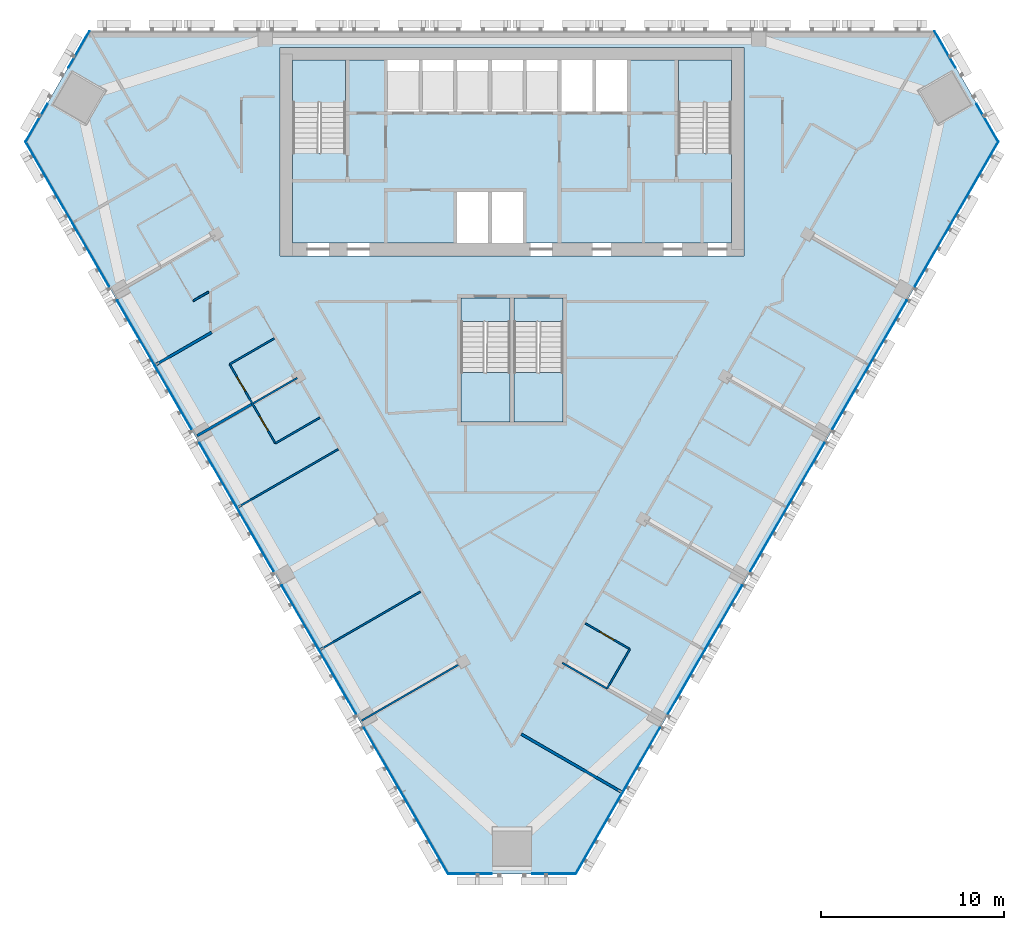
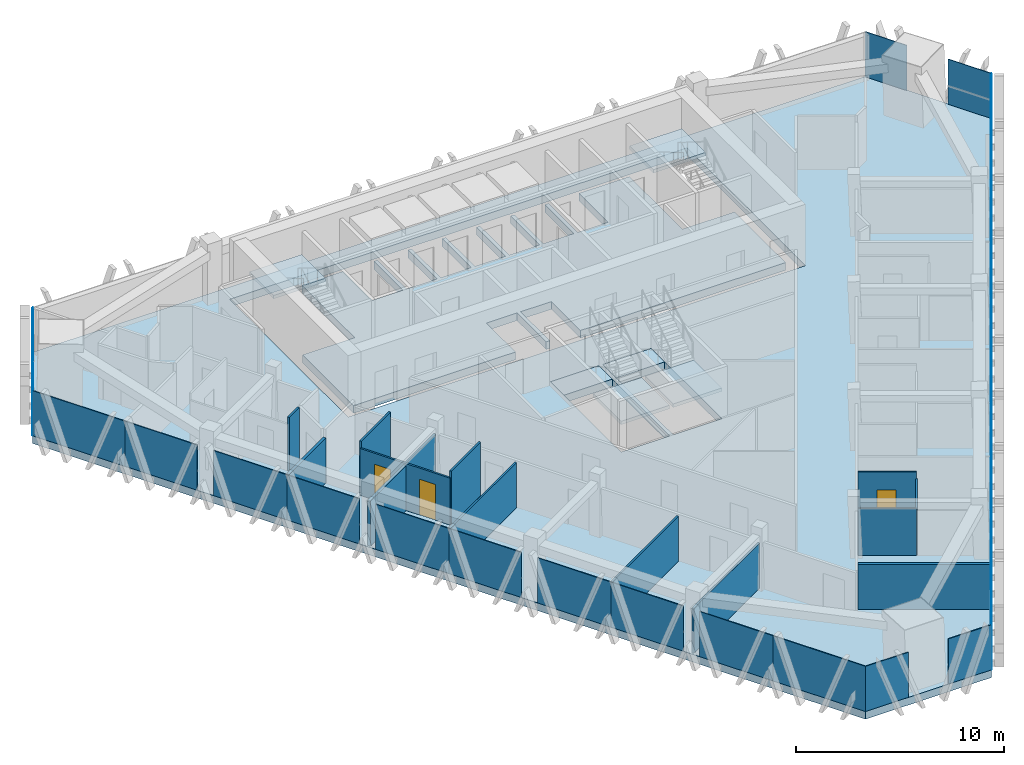
# One storey, part 8 of 16: 26 plates, 14 walls, 8 slabs, 3 doors, 3 openings, 9 elements without a shape of their own.
"""IFC4 building model written with IfcOpenShell, lengths in metres."""

from ifc_helpers import new_model, si_unit, direction, frame, frame_2d, origin, origin_2d, place, context, subcontext, project, spatial, polyline, rectangle, outline, extrude, material, layer, layer_set, type_object, element, fill, aggregate, save


model = new_model("IFC4")

# Units and contexts
model_context = context("Model", 3, precision=1e-05, world=origin(), true_north=direction((0.0, 1.0)))
body_context = subcontext(model_context, "Body", "Model", "MODEL_VIEW")
ifc_project = project(units=[si_unit("LENGTHUNIT", "METRE"), si_unit("AREAUNIT", "SQUARE_METRE"), si_unit("VOLUMEUNIT", "CUBIC_METRE"), si_unit("PLANEANGLEUNIT", "RADIAN"), si_unit("MASSUNIT", "GRAM", prefix="KILO")], contexts=[model_context])

# Site, building, storey
site_placement = place(None, origin())
site = spatial("IfcSite", under=ifc_project, at=site_placement, CompositionType="ELEMENT")
building_placement = place(site_placement, origin())
building = spatial("IfcBuilding", under=site, at=building_placement, Name="Altiplano Prism Tower", CompositionType="ELEMENT")
storey_placement = place(building_placement, frame((0.0, 0.0, 167.39990234375)))
storey = spatial("IfcBuildingStorey", under=building, at=storey_placement, Name="L43", CompositionType="ELEMENT", Elevation=167.39990234375)

# Curtain wall, plates
ifc_material_1 = material(Name="Aluminium and glass", Category="aluminium")
ifc_layer_1 = layer(ifc_material_1, 0.280029296875)
ifc_layer_set_1 = layer_set([ifc_layer_1], Name="Aluminium and glass")
curtain_wall_type = type_object("IfcCurtainWallType", Name="CW1 typical co-living unitised curtain wall", PredefinedType="NOTDEFINED", material=ifc_layer_set_1)
curtain_wall_1_placement = place(storey_placement, origin())
curtain_wall_1 = element("IfcCurtainWall", 1, at=curtain_wall_1_placement, inside=storey, type_object=curtain_wall_type, Name="CW1 curtain wall north-west chamfer L43", PredefinedType="NOTDEFINED")
ifc_material_2 = material(Name="Clear glass", Category="glass")
ifc_layer_2 = layer(ifc_material_2, 0.0400390625)
ifc_layer_set_2 = layer_set([ifc_layer_2], Name="Clear glass")
plate_type = type_object("IfcPlateType", Name="CW1 insulated glass unit 40", PredefinedType="CURTAIN_PANEL", material=ifc_layer_set_2)
plate_1_placement = place(storey_placement, frame((61.3017578125, 103.98583984375, 0.000244140625), z_axis=(0.0, 0.0, 1.0), x_axis=(-0.499999909416, -0.866025456083, 0.0)))
plate_1 = element("IfcPlate", 2, at=plate_1_placement, type_object=plate_type, Name="CW1 panel", PredefinedType="CURTAIN_PANEL", context=body_context, shape_type="SweptSolid", body=[
    extrude(rectangle(XDim=2.30908203125, YDim=0.0400390625, at=origin_2d()), origin(), (0.0, 0.0, 1.0), 2.64990234375),
])
plate_2_placement = place(storey_placement, frame((58.982421875, 99.96826171875, 0.000244140625), z_axis=(0.0, 0.0, 1.0), x_axis=(-0.499999909416, -0.866025456083, 0.0)))
plate_2 = element("IfcPlate", 3, at=plate_2_placement, type_object=plate_type, Name="CW1 panel", PredefinedType="CURTAIN_PANEL", context=body_context, shape_type="SweptSolid", body=[
    extrude(rectangle(XDim=2.38916015625, YDim=0.0400390625, at=origin_2d()), origin(), (0.0, 0.0, 1.0), 2.64990234375),
])
aggregate(curtain_wall_1, [plate_1, plate_2])

curtain_wall_2_placement = place(storey_placement, origin())
curtain_wall_2 = element("IfcCurtainWall", 4, at=curtain_wall_2_placement, inside=storey, type_object=curtain_wall_type, Name="CW1 curtain wall south-west face L43", PredefinedType="NOTDEFINED")
plate_3_placement = place(storey_placement, frame((59.66650390625, 96.7255859375, 0.000244140625), z_axis=(0.0, 0.0, 1.0), x_axis=(0.499999990583, -0.866025409221, 0.0)))
plate_3 = element("IfcPlate", 5, at=plate_3_placement, type_object=plate_type, Name="CW1 panel", PredefinedType="CURTAIN_PANEL", context=body_context, shape_type="SweptSolid", body=[
    extrude(rectangle(XDim=5.125732421875, YDim=0.0400390625, at=origin_2d()), origin(), (0.0, 0.0, 1.0), 2.64990234375),
])
plate_4_placement = place(storey_placement, frame((61.95556640625, 92.7607421875, 0.000244140625), z_axis=(0.0, 0.0, 1.0), x_axis=(0.499999990583, -0.866025409221, 0.0)))
plate_4 = element("IfcPlate", 6, at=plate_4_placement, type_object=plate_type, Name="CW1 panel", PredefinedType="CURTAIN_PANEL", context=body_context, shape_type="SweptSolid", body=[
    extrude(rectangle(XDim=4.010498046875, YDim=0.0400390625, at=origin_2d()), origin(), (0.0, 0.0, 1.0), 2.64990234375),
])
plate_5_placement = place(storey_placement, frame((64.425537109375, 88.482666015625, 0.000244140625), z_axis=(0.0, 0.0, 1.0), x_axis=(0.499999990583, -0.866025409221, 0.0)))
plate_5 = element("IfcPlate", 7, at=plate_5_placement, type_object=plate_type, Name="CW1 panel", PredefinedType="CURTAIN_PANEL", context=body_context, shape_type="SweptSolid", body=[
    extrude(rectangle(XDim=4.08935546875, YDim=0.0400390625, at=origin_2d()), origin(), (0.0, 0.0, 1.0), 2.64990234375),
])
plate_6_placement = place(storey_placement, frame((66.45556640625, 84.966552734375, 0.000244140625), z_axis=(0.0, 0.0, 1.0), x_axis=(0.499999990583, -0.866025409221, 0.0)))
plate_6 = element("IfcPlate", 8, at=plate_6_placement, type_object=plate_type, Name="CW1 panel", PredefinedType="CURTAIN_PANEL", context=body_context, shape_type="SweptSolid", body=[
    extrude(rectangle(XDim=4.010498046875, YDim=0.0400390625, at=origin_2d()), origin(), (0.0, 0.0, 1.0), 2.64990234375),
])
plate_7_placement = place(storey_placement, frame((68.925537109375, 80.6884765625, 0.000244140625), z_axis=(0.0, 0.0, 1.0), x_axis=(0.499999990583, -0.866025409221, 0.0)))
plate_7 = element("IfcPlate", 9, at=plate_7_placement, type_object=plate_type, Name="CW1 panel", PredefinedType="CURTAIN_PANEL", context=body_context, shape_type="SweptSolid", body=[
    extrude(rectangle(XDim=4.08935546875, YDim=0.0400390625, at=origin_2d()), origin(), (0.0, 0.0, 1.0), 2.64990234375),
])
plate_8_placement = place(storey_placement, frame((70.95556640625, 77.17236328125, 0.000244140625), z_axis=(0.0, 0.0, 1.0), x_axis=(0.499999990583, -0.866025409221, 0.0)))
plate_8 = element("IfcPlate", 10, at=plate_8_placement, type_object=plate_type, Name="CW1 panel", PredefinedType="CURTAIN_PANEL", context=body_context, shape_type="SweptSolid", body=[
    extrude(rectangle(XDim=4.010498046875, YDim=0.0400390625, at=origin_2d()), origin(), (0.0, 0.0, 1.0), 2.64990234375),
])
plate_9_placement = place(storey_placement, frame((73.425537109375, 72.89404296875, 0.000244140625), z_axis=(0.0, 0.0, 1.0), x_axis=(0.499999990583, -0.866025409221, 0.0)))
plate_9 = element("IfcPlate", 11, at=plate_9_placement, type_object=plate_type, Name="CW1 panel", PredefinedType="CURTAIN_PANEL", context=body_context, shape_type="SweptSolid", body=[
    extrude(rectangle(XDim=4.08935546875, YDim=0.0400390625, at=origin_2d()), origin(), (0.0, 0.0, 1.0), 2.64990234375),
])
plate_10_placement = place(storey_placement, frame((75.45556640625, 69.378173828125, 0.000244140625), z_axis=(0.0, 0.0, 1.0), x_axis=(0.499999990583, -0.866025409221, 0.0)))
plate_10 = element("IfcPlate", 12, at=plate_10_placement, type_object=plate_type, Name="CW1 panel", PredefinedType="CURTAIN_PANEL", context=body_context, shape_type="SweptSolid", body=[
    extrude(rectangle(XDim=4.010498046875, YDim=0.0400390625, at=origin_2d()), origin(), (0.0, 0.0, 1.0), 2.64990234375),
])
plate_11_placement = place(storey_placement, frame((77.925537109375, 65.099853515625, 0.000244140625), z_axis=(0.0, 0.0, 1.0), x_axis=(0.499999990583, -0.866025409221, 0.0)))
plate_11 = element("IfcPlate", 13, at=plate_11_placement, type_object=plate_type, Name="CW1 panel", PredefinedType="CURTAIN_PANEL", context=body_context, shape_type="SweptSolid", body=[
    extrude(rectangle(XDim=4.08935546875, YDim=0.0400390625, at=origin_2d()), origin(), (0.0, 0.0, 1.0), 2.64990234375),
])
plate_12_placement = place(storey_placement, frame((80.234375, 61.10107421875, 0.000244140625), z_axis=(0.0, 0.0, 1.0), x_axis=(0.499999990583, -0.866025409221, 0.0)))
plate_12 = element("IfcPlate", 14, at=plate_12_placement, type_object=plate_type, Name="CW1 panel", PredefinedType="CURTAIN_PANEL", context=body_context, shape_type="SweptSolid", body=[
    extrude(rectangle(XDim=5.125732421875, YDim=0.0400390625, at=origin_2d()), origin(), (0.0, 0.0, 1.0), 2.64990234375),
])
aggregate(curtain_wall_2, [plate_3, plate_4, plate_5, plate_6, plate_7, plate_8, plate_9, plate_10, plate_11, plate_12])

curtain_wall_3_placement = place(storey_placement, origin())
curtain_wall_3 = element("IfcCurtainWall", 15, at=curtain_wall_3_placement, inside=storey, type_object=curtain_wall_type, Name="CW1 curtain wall south chamfer L43", PredefinedType="NOTDEFINED")
plate_13_placement = place(storey_placement, frame((82.700439453125, 58.88720703125, 0.000244140625), z_axis=(0.0, 0.0, 1.0), x_axis=(1.0, 0.0, 0.0)))
plate_13 = element("IfcPlate", 16, at=plate_13_placement, type_object=plate_type, Name="CW1 panel", PredefinedType="CURTAIN_PANEL", context=body_context, shape_type="SweptSolid", body=[
    extrude(rectangle(XDim=2.38916015625, YDim=0.0400390625, at=origin_2d()), origin(), (0.0, 0.0, 1.0), 2.64990234375),
])
plate_14_placement = place(storey_placement, frame((87.299560546875, 58.88720703125, 0.000244140625), z_axis=(0.0, 0.0, 1.0), x_axis=(1.0, 0.0, 0.0)))
plate_14 = element("IfcPlate", 17, at=plate_14_placement, type_object=plate_type, Name="CW1 panel", PredefinedType="CURTAIN_PANEL", context=body_context, shape_type="SweptSolid", body=[
    extrude(rectangle(XDim=2.38916015625, YDim=0.0400390625, at=origin_2d()), origin(), (0.0, 0.0, 1.0), 2.64990234375),
])
aggregate(curtain_wall_3, [plate_13, plate_14])

curtain_wall_4_placement = place(storey_placement, origin())
curtain_wall_4 = element("IfcCurtainWall", 18, at=curtain_wall_4_placement, inside=storey, type_object=curtain_wall_type, Name="CW1 curtain wall south-east face L43", PredefinedType="NOTDEFINED")
plate_15_placement = place(storey_placement, frame((89.765625, 61.10107421875, 0.000244140625), z_axis=(0.0, 0.0, 1.0), x_axis=(0.499999990583, 0.866025409221, 0.0)))
plate_15 = element("IfcPlate", 19, at=plate_15_placement, type_object=plate_type, Name="CW1 panel", PredefinedType="CURTAIN_PANEL", context=body_context, shape_type="SweptSolid", body=[
    extrude(rectangle(XDim=5.125732421875, YDim=0.0400390625, at=origin_2d()), origin(), (0.0, 0.0, 1.0), 2.64990234375),
])
plate_16_placement = place(storey_placement, frame((92.074462890625, 65.099853515625, 0.000244140625), z_axis=(0.0, 0.0, 1.0), x_axis=(0.499999990583, 0.866025409221, 0.0)))
plate_16 = element("IfcPlate", 20, at=plate_16_placement, type_object=plate_type, Name="CW1 panel", PredefinedType="CURTAIN_PANEL", context=body_context, shape_type="SweptSolid", body=[
    extrude(rectangle(XDim=4.08935546875, YDim=0.0400390625, at=origin_2d()), origin(), (0.0, 0.0, 1.0), 2.64990234375),
])
plate_17_placement = place(storey_placement, frame((94.54443359375, 69.378173828125, 0.000244140625), z_axis=(0.0, 0.0, 1.0), x_axis=(0.499999990583, 0.866025409221, 0.0)))
plate_17 = element("IfcPlate", 21, at=plate_17_placement, type_object=plate_type, Name="CW1 panel", PredefinedType="CURTAIN_PANEL", context=body_context, shape_type="SweptSolid", body=[
    extrude(rectangle(XDim=4.010498046875, YDim=0.0400390625, at=origin_2d()), origin(), (0.0, 0.0, 1.0), 2.64990234375),
])
plate_18_placement = place(storey_placement, frame((96.574462890625, 72.89404296875, 0.000244140625), z_axis=(0.0, 0.0, 1.0), x_axis=(0.499999990583, 0.866025409221, 0.0)))
plate_18 = element("IfcPlate", 22, at=plate_18_placement, type_object=plate_type, Name="CW1 panel", PredefinedType="CURTAIN_PANEL", context=body_context, shape_type="SweptSolid", body=[
    extrude(rectangle(XDim=4.08935546875, YDim=0.0400390625, at=origin_2d()), origin(), (0.0, 0.0, 1.0), 2.64990234375),
])
plate_19_placement = place(storey_placement, frame((99.04443359375, 77.17236328125, 0.000244140625), z_axis=(0.0, 0.0, 1.0), x_axis=(0.499999990583, 0.866025409221, 0.0)))
plate_19 = element("IfcPlate", 23, at=plate_19_placement, type_object=plate_type, Name="CW1 panel", PredefinedType="CURTAIN_PANEL", context=body_context, shape_type="SweptSolid", body=[
    extrude(rectangle(XDim=4.010498046875, YDim=0.0400390625, at=origin_2d()), origin(), (0.0, 0.0, 1.0), 2.64990234375),
])
plate_20_placement = place(storey_placement, frame((101.074462890625, 80.6884765625, 0.000244140625), z_axis=(0.0, 0.0, 1.0), x_axis=(0.499999990583, 0.866025409221, 0.0)))
plate_20 = element("IfcPlate", 24, at=plate_20_placement, type_object=plate_type, Name="CW1 panel", PredefinedType="CURTAIN_PANEL", context=body_context, shape_type="SweptSolid", body=[
    extrude(rectangle(XDim=4.08935546875, YDim=0.0400390625, at=origin_2d()), origin(), (0.0, 0.0, 1.0), 2.64990234375),
])
plate_21_placement = place(storey_placement, frame((103.54443359375, 84.966552734375, 0.000244140625), z_axis=(0.0, 0.0, 1.0), x_axis=(0.499999990583, 0.866025409221, 0.0)))
plate_21 = element("IfcPlate", 25, at=plate_21_placement, type_object=plate_type, Name="CW1 panel", PredefinedType="CURTAIN_PANEL", context=body_context, shape_type="SweptSolid", body=[
    extrude(rectangle(XDim=4.010498046875, YDim=0.0400390625, at=origin_2d()), origin(), (0.0, 0.0, 1.0), 2.64990234375),
])
plate_22_placement = place(storey_placement, frame((105.574462890625, 88.482666015625, 0.000244140625), z_axis=(0.0, 0.0, 1.0), x_axis=(0.499999990583, 0.866025409221, 0.0)))
plate_22 = element("IfcPlate", 26, at=plate_22_placement, type_object=plate_type, Name="CW1 panel", PredefinedType="CURTAIN_PANEL", context=body_context, shape_type="SweptSolid", body=[
    extrude(rectangle(XDim=4.08935546875, YDim=0.0400390625, at=origin_2d()), origin(), (0.0, 0.0, 1.0), 2.64990234375),
])
plate_23_placement = place(storey_placement, frame((108.04443359375, 92.7607421875, 0.000244140625), z_axis=(0.0, 0.0, 1.0), x_axis=(0.499999990583, 0.866025409221, 0.0)))
plate_23 = element("IfcPlate", 27, at=plate_23_placement, type_object=plate_type, Name="CW1 panel", PredefinedType="CURTAIN_PANEL", context=body_context, shape_type="SweptSolid", body=[
    extrude(rectangle(XDim=4.010498046875, YDim=0.0400390625, at=origin_2d()), origin(), (0.0, 0.0, 1.0), 2.64990234375),
])
plate_24_placement = place(storey_placement, frame((110.33349609375, 96.7255859375, 0.000244140625), z_axis=(0.0, 0.0, 1.0), x_axis=(0.499999990583, 0.866025409221, 0.0)))
plate_24 = element("IfcPlate", 28, at=plate_24_placement, type_object=plate_type, Name="CW1 panel", PredefinedType="CURTAIN_PANEL", context=body_context, shape_type="SweptSolid", body=[
    extrude(rectangle(XDim=5.125732421875, YDim=0.0400390625, at=origin_2d()), origin(), (0.0, 0.0, 1.0), 2.64990234375),
])
aggregate(curtain_wall_4, [plate_15, plate_16, plate_17, plate_18, plate_19, plate_20, plate_21, plate_22, plate_23, plate_24])

curtain_wall_5_placement = place(storey_placement, origin())
curtain_wall_5 = element("IfcCurtainWall", 29, at=curtain_wall_5_placement, inside=storey, type_object=curtain_wall_type, Name="CW1 curtain wall north-east chamfer L43", PredefinedType="NOTDEFINED")
plate_25_placement = place(storey_placement, frame((111.017578125, 99.96826171875, 0.000244140625), z_axis=(0.0, 0.0, 1.0), x_axis=(-0.499999909416, 0.866025456083, 0.0)))
plate_25 = element("IfcPlate", 30, at=plate_25_placement, type_object=plate_type, Name="CW1 panel", PredefinedType="CURTAIN_PANEL", context=body_context, shape_type="SweptSolid", body=[
    extrude(rectangle(XDim=2.38916015625, YDim=0.0400390625, at=origin_2d()), origin(), (0.0, 0.0, 1.0), 2.64990234375),
])
plate_26_placement = place(storey_placement, frame((108.6982421875, 103.98583984375, 0.000244140625), z_axis=(0.0, 0.0, 1.0), x_axis=(-0.499999909416, 0.866025456083, 0.0)))
plate_26 = element("IfcPlate", 31, at=plate_26_placement, type_object=plate_type, Name="CW1 panel", PredefinedType="CURTAIN_PANEL", context=body_context, shape_type="SweptSolid", body=[
    extrude(rectangle(XDim=2.30908203125, YDim=0.0400390625, at=origin_2d()), origin(), (0.0, 0.0, 1.0), 2.64990234375),
])
aggregate(curtain_wall_5, [plate_25, plate_26])

# Slabs
ifc_material_3 = material(Name="Concrete C40/50", Category="concrete")
ifc_layer_3 = layer(ifc_material_3, 0.449951171875)
ifc_layer_set_3 = layer_set([ifc_layer_3], Name="Concrete C40/50")
slab_type_1 = type_object("IfcSlabType", Name="Core floor slab 450", PredefinedType="FLOOR", material=ifc_layer_set_3)
slab_1_placement = place(storey_placement, frame((0.0, 0.0, -0.449951171875)))
element("IfcSlab", 32, at=slab_1_placement, inside=storey, type_object=slab_type_1, Name="Core floor slab L43", PredefinedType="FLOOR", context=body_context, shape_type="SweptSolid", body=[
    extrude(outline(polyline([(97.0, 98.31005859375), (94.10009765625, 98.31005859375), (94.10009765625, 103.39990234375), (91.300048828125, 103.39990234375), (91.300048828125, 100.60009765625), (89.60009765625, 100.60009765625), (89.60009765625, 103.39990234375), (89.39990234375, 103.39990234375), (89.39990234375, 100.60009765625), (87.699951171875, 100.60009765625), (87.699951171875, 103.39990234375), (87.5, 103.39990234375), (87.5, 100.60009765625), (85.800048828125, 100.60009765625), (85.800048828125, 103.39990234375), (85.60009765625, 103.39990234375), (85.60009765625, 100.60009765625), (83.89990234375, 100.60009765625), (83.89990234375, 103.39990234375), (83.699951171875, 103.39990234375), (83.699951171875, 100.60009765625), (82.0, 100.60009765625), (82.0, 103.39990234375), (81.800048828125, 103.39990234375), (81.800048828125, 100.60009765625), (80.10009765625, 100.60009765625), (80.10009765625, 103.39990234375), (79.89990234375, 103.39990234375), (79.89990234375, 100.60009765625), (78.199951171875, 100.60009765625), (78.199951171875, 103.39990234375), (75.89990234375, 103.39990234375), (75.89990234375, 98.31005859375), (73.0, 98.31005859375), (73.0, 93.39990234375), (82.0, 93.39990234375), (82.0, 96.199951171875), (83.699951171875, 96.199951171875), (83.699951171875, 93.39990234375), (83.89990234375, 93.39990234375), (83.89990234375, 96.199951171875), (85.60009765625, 96.199951171875), (85.60009765625, 93.39990234375), (97.0, 93.39990234375), (97.0, 98.31005859375)])), origin(), (0.0, 0.0, 1.0), 0.449951171875),
])
slab_2_placement = place(storey_placement, frame((0.0, 0.0, -0.449951171875)))
element("IfcSlab", 33, at=slab_2_placement, inside=storey, type_object=slab_type_1, Name="Stair 3A landing slab L43", PredefinedType="FLOOR", context=body_context, shape_type="SweptSolid", body=[
    extrude(outline(polyline([(82.199951171875, 89.096923828125), (84.89990234375, 89.096923828125), (84.89990234375, 90.39990234375), (82.199951171875, 90.39990234375), (82.199951171875, 89.096923828125)])), origin(), (0.0, 0.0, 1.0), 0.449951171875),
])
slab_3_placement = place(storey_placement, frame((0.0, 0.0, -0.449951171875)))
element("IfcSlab", 34, at=slab_3_placement, inside=storey, type_object=slab_type_1, Name="Stair 3B landing slab L43", PredefinedType="FLOOR", context=body_context, shape_type="SweptSolid", body=[
    extrude(outline(polyline([(85.10009765625, 89.096923828125), (87.800048828125, 89.096923828125), (87.800048828125, 90.39990234375), (85.10009765625, 90.39990234375), (85.10009765625, 89.096923828125)])), origin(), (0.0, 0.0, 1.0), 0.449951171875),
])
ifc_layer_4 = layer(ifc_material_3, 0.449951171875)
ifc_layer_set_4 = layer_set([ifc_layer_4], Name="Concrete C40/50")
slab_type_2 = type_object("IfcSlabType", Name="Post-tensioned flat slab 450", PredefinedType="FLOOR", material=ifc_layer_set_4)
slab_4_placement = place(storey_placement, frame((0.0, 0.0, -0.449951171875)))
element("IfcSlab", 35, at=slab_4_placement, inside=storey, type_object=slab_type_2, Name="Floor slab L43", PredefinedType="FLOOR", context=body_context, shape_type="SweptSolid", body=[
    extrude(outline(polyline([(81.5009765625, 58.8671875), (58.365234375, 98.939453125), (61.8642578125, 105.0), (108.1357421875, 105.0), (111.634765625, 98.939453125), (88.4990234375, 58.8671875), (81.5009765625, 58.8671875)]), holes=[polyline([(72.300048828125, 104.10009765625), (72.300048828125, 92.699951171875), (97.699951171875, 92.699951171875), (97.699951171875, 104.10009765625), (72.300048828125, 104.10009765625)]), polyline([(84.89990234375, 90.39990234375), (82.199951171875, 90.39990234375), (82.199951171875, 83.60009765625), (84.89990234375, 83.60009765625), (84.89990234375, 90.39990234375)]), polyline([(87.800048828125, 83.60009765625), (87.800048828125, 90.39990234375), (85.10009765625, 90.39990234375), (85.10009765625, 83.60009765625), (87.800048828125, 83.60009765625)])]), origin(), (0.0, 0.0, 1.0), 0.449951171875),
])

# Stair, slab
stair_type_1 = type_object("IfcStairType", Name="Exit stair 1400", PredefinedType="HALF_TURN_STAIR", material=ifc_material_3)
stair_1_placement = place(storey_placement, origin())
stair_1 = element("IfcStair", 36, at=stair_1_placement, inside=storey, type_object=stair_type_1, Name="L43 Exit Stair 1", PredefinedType="HALF_TURN_STAIR")
ifc_layer_5 = layer(ifc_material_3, 0.199951171875)
ifc_layer_set_5 = layer_set([ifc_layer_5], Name="Concrete C40/50")
slab_type_3 = type_object("IfcSlabType", Name="Stair landing 200", PredefinedType="LANDING", material=ifc_layer_set_5)
slab_5_placement = place(storey_placement, frame((0.0, 0.0, 1.60009765625)))
slab_5 = element("IfcSlab", 37, at=slab_5_placement, type_object=slab_type_3, Name="ST1 landing 1", PredefinedType="LANDING", context=body_context, shape_type="SweptSolid", body=[
    extrude(outline(polyline([(75.89990234375, 101.096923828125), (75.89990234375, 103.39990234375), (73.0, 103.39990234375), (73.0, 101.096923828125), (75.89990234375, 101.096923828125)])), origin(), (0.0, 0.0, 1.0), 0.199951171875),
])
aggregate(stair_1, [slab_5])

stair_2_placement = place(storey_placement, origin())
stair_2 = element("IfcStair", 38, at=stair_2_placement, inside=storey, type_object=stair_type_1, Name="L43 Exit Stair 2", PredefinedType="HALF_TURN_STAIR")
slab_6_placement = place(storey_placement, frame((0.0, 0.0, 1.60009765625)))
slab_6 = element("IfcSlab", 39, at=slab_6_placement, type_object=slab_type_3, Name="ST2 landing 1", PredefinedType="LANDING", context=body_context, shape_type="SweptSolid", body=[
    extrude(outline(polyline([(97.0, 101.096923828125), (97.0, 103.39990234375), (94.10009765625, 103.39990234375), (94.10009765625, 101.096923828125), (97.0, 101.096923828125)])), origin(), (0.0, 0.0, 1.0), 0.199951171875),
])
aggregate(stair_2, [slab_6])

stair_type_2 = type_object("IfcStairType", Name="Exit stair 1300", PredefinedType="HALF_TURN_STAIR", material=ifc_material_3)
stair_3_placement = place(storey_placement, origin())
stair_3 = element("IfcStair", 40, at=stair_3_placement, inside=storey, type_object=stair_type_2, Name="L43 Exit Stair 3A", PredefinedType="HALF_TURN_STAIR")
slab_7_placement = place(storey_placement, frame((0.0, 0.0, 1.60009765625)))
slab_7 = element("IfcSlab", 41, at=slab_7_placement, type_object=slab_type_3, Name="ST3A landing 1", PredefinedType="LANDING", context=body_context, shape_type="SweptSolid", body=[
    extrude(outline(polyline([(82.199951171875, 86.302978515625), (82.199951171875, 83.60009765625), (84.89990234375, 83.60009765625), (84.89990234375, 86.302978515625), (82.199951171875, 86.302978515625)])), origin(), (0.0, 0.0, 1.0), 0.199951171875),
])
aggregate(stair_3, [slab_7])

stair_4_placement = place(storey_placement, origin())
stair_4 = element("IfcStair", 42, at=stair_4_placement, inside=storey, type_object=stair_type_2, Name="L43 Exit Stair 3B", PredefinedType="HALF_TURN_STAIR")
slab_8_placement = place(storey_placement, frame((0.0, 0.0, 1.60009765625)))
slab_8 = element("IfcSlab", 43, at=slab_8_placement, type_object=slab_type_3, Name="ST3B landing 1", PredefinedType="LANDING", context=body_context, shape_type="SweptSolid", body=[
    extrude(outline(polyline([(85.10009765625, 86.302978515625), (85.10009765625, 83.60009765625), (87.800048828125, 83.60009765625), (87.800048828125, 86.302978515625), (85.10009765625, 86.302978515625)])), origin(), (0.0, 0.0, 1.0), 0.199951171875),
])
aggregate(stair_4, [slab_8])

# Wall
ifc_material_4 = material(Name="Plasterboard on steel stud", Category="steel")
ifc_layer_6 = layer(ifc_material_4, 0.10009765625)
ifc_layer_set_6 = layer_set([ifc_layer_6], Name="Plasterboard on steel stud")
wall_type_1 = type_object("IfcWallType", Name="Partition 100 unit", PredefinedType="PARTITIONING", material=ifc_layer_set_6)
wall_1_placement = place(storey_placement, frame((68.39990234375, 90.719970703125, 0.0), z_axis=(0.0, 0.0, 1.0), x_axis=(-0.865920189979, -0.500182191394, 0.0)))
element("IfcWall", 44, at=wall_1_placement, inside=storey, type_object=wall_type_1, Name="Partition P02 L43 044", PredefinedType="PARTITIONING", context=body_context, shape_type="SweptSolid", body=[
    extrude(rectangle(XDim=0.980712890625, YDim=0.10009765625, at=frame_2d((0.490234375, 0.0))), origin(), (0.0, 0.0, 1.0), 3.150146484375),
])

# Wall, openings, doors
wall_2_placement = place(storey_placement, frame((72.05078125, 82.435302734375, 0.0), z_axis=(0.0, 0.0, 1.0), x_axis=(-0.500004234368, 0.866022959057, 0.0)))
wall_2 = element("IfcWall", 45, at=wall_2_placement, inside=storey, type_object=wall_type_1, Name="Partition P02 L43 047", PredefinedType="PARTITIONING", context=body_context, shape_type="SweptSolid", body=[
    extrude(rectangle(XDim=5.0, YDim=0.10009765625, at=frame_2d((2.5, 0.0))), origin(), (0.0, 0.0, 1.0), 2.75),
])
opening_1_placement = place(wall_2_placement, frame((3.300048828125, 0.0, 0.0)))
opening_1 = element("IfcOpeningElement", 46, at=opening_1_placement, cuts=wall_2, Name="Opening D1519", PredefinedType="OPENING", context=body_context, shape_type="SweptSolid", body=[
    extrude(rectangle(XDim=0.89990234375, YDim=2.10009765625, at=frame_2d((0.449951171875, 1.050048828125))), frame((0.0, 0.060546875, 0.0), z_axis=(0.0, -1.0, 0.0), x_axis=(1.0, 0.0, 0.0)), (0.0, 0.0, 1.0), 0.12109375),
])
opening_2_placement = place(wall_2_placement, frame((0.800048828125, 0.0, 0.0)))
opening_2 = element("IfcOpeningElement", 47, at=opening_2_placement, cuts=wall_2, Name="Opening D1521", PredefinedType="OPENING", context=body_context, shape_type="SweptSolid", body=[
    extrude(rectangle(XDim=0.89990234375, YDim=2.10009765625, at=frame_2d((0.449951171875, 1.050048828125))), frame((0.0, 0.060546875, 0.0), z_axis=(0.0, -1.0, 0.0), x_axis=(1.0, 0.0, 0.0)), (0.0, 0.0, 1.0), 0.12109375),
])
ifc_material_5 = material(Name="Timber", Category="wood")
door_type = type_object("IfcDoorType", Name="Ensuite door 900 x 2100", OperationType="NOTDEFINED", PredefinedType="NOTDEFINED", material=ifc_material_5)
door_1_placement = place(opening_1_placement, origin())
door_1 = element("IfcDoor", 48, at=door_1_placement, inside=storey, type_object=door_type, Name="Door D1519", OperationType="SINGLE_SWING_LEFT", OverallHeight=2.10009765625, OverallWidth=0.89990234375, PredefinedType="NOTDEFINED", context=body_context, shape_type="SweptSolid", body=[
    extrude(rectangle(XDim=0.89990234375, YDim=2.10009765625, at=frame_2d((0.449951171875, 1.050048828125))), frame((0.0, 0.02490234375, 0.0), z_axis=(0.0, -1.0, 0.0), x_axis=(1.0, 0.0, 0.0)), (0.0, 0.0, 1.0), 0.050048828125),
])
fill(opening_1, door_1)
door_2_placement = place(opening_2_placement, origin())
door_2 = element("IfcDoor", 49, at=door_2_placement, inside=storey, type_object=door_type, Name="Door D1521", OperationType="SINGLE_SWING_LEFT", OverallHeight=2.10009765625, OverallWidth=0.89990234375, PredefinedType="NOTDEFINED", context=body_context, shape_type="SweptSolid", body=[
    extrude(rectangle(XDim=0.89990234375, YDim=2.10009765625, at=frame_2d((0.449951171875, 1.050048828125))), frame((0.0, 0.02490234375, 0.0), z_axis=(0.0, -1.0, 0.0), x_axis=(1.0, 0.0, 0.0)), (0.0, 0.0, 1.0), 0.050048828125),
])
fill(opening_2, door_2)

# Walls
for number, where, z_axis, x_axis, name in (
    (50, (69.55078125, 86.765380859375, 0.0), (0.0, 0.0, 1.0), (0.866011447264, 0.500024172624, 0.0), "Partition P02 L43 048"),
    (51, (74.497314453125, 83.847900390625, 0.0), (0.0, 0.0, 1.0), (-0.866011447264, -0.500024172624, 0.0), "Partition P02 L43 051"),
):
    element("IfcWall", number, at=place(storey_placement, frame(where, z_axis=z_axis, x_axis=x_axis)), inside=storey, type_object=wall_type_1, Name=name, PredefinedType="PARTITIONING", context=body_context, shape_type="SweptSolid", body=[
        extrude(rectangle(XDim=2.824951171875, YDim=0.10009765625, at=frame_2d((1.41259765625, 0.0))), origin(), (0.0, 0.0, 1.0), 3.150146484375),
    ])

# Wall, opening, door
wall_3_placement = place(storey_placement, frame((89.002685546875, 72.589599609375, 0.0), z_axis=(0.0, 0.0, 1.0), x_axis=(0.866011447264, -0.500024172624, 0.0)))
wall_3 = element("IfcWall", 52, at=wall_3_placement, inside=storey, type_object=wall_type_1, Name="Partition P02 L43 058", PredefinedType="PARTITIONING", context=body_context, shape_type="SweptSolid", body=[
    extrude(rectangle(XDim=2.824951171875, YDim=0.10009765625, at=frame_2d((1.41259765625, 0.0))), origin(), (0.0, 0.0, 1.0), 3.150146484375),
])
opening_3_placement = place(wall_3_placement, frame((0.925048828125, 0.0, 0.0)))
opening_3 = element("IfcOpeningElement", 53, at=opening_3_placement, cuts=wall_3, Name="Opening D1527", PredefinedType="OPENING", context=body_context, shape_type="SweptSolid", body=[
    extrude(rectangle(XDim=0.89990234375, YDim=2.10009765625, at=frame_2d((0.449951171875, 1.050048828125))), frame((0.0, 0.060546875, 0.0), z_axis=(0.0, -1.0, 0.0), x_axis=(1.0, 0.0, 0.0)), (0.0, 0.0, 1.0), 0.12109375),
])
door_3_placement = place(opening_3_placement, origin())
door_3 = element("IfcDoor", 54, at=door_3_placement, inside=storey, type_object=door_type, Name="Door D1527", OperationType="SINGLE_SWING_LEFT", OverallHeight=2.10009765625, OverallWidth=0.89990234375, PredefinedType="NOTDEFINED", context=body_context, shape_type="SweptSolid", body=[
    extrude(rectangle(XDim=0.89990234375, YDim=2.10009765625, at=frame_2d((0.449951171875, 1.050048828125))), frame((0.0, 0.02490234375, 0.0), z_axis=(0.0, -1.0, 0.0), x_axis=(1.0, 0.0, 0.0)), (0.0, 0.0, 1.0), 0.050048828125),
])
fill(opening_3, door_3)

# Walls
wall_4_placement = place(storey_placement, frame((91.44921875, 71.177001953125, 0.0), z_axis=(0.0, 0.0, 1.0), x_axis=(-0.500004234368, -0.866022959057, 0.0)))
element("IfcWall", 55, at=wall_4_placement, inside=storey, type_object=wall_type_1, Name="Partition P02 L43 059", PredefinedType="PARTITIONING", context=body_context, shape_type="SweptSolid", body=[
    extrude(rectangle(XDim=2.5, YDim=0.10009765625, at=frame_2d((1.25, 0.0))), origin(), (0.0, 0.0, 1.0), 2.75),
])
ifc_layer_7 = layer(ifc_material_4, 0.10009765625)
ifc_layer_set_7 = layer_set([ifc_layer_7], Name="Plasterboard on steel stud")
wall_type_2 = type_object("IfcWallType", Name="Partition 100 wet", PredefinedType="PARTITIONING", material=ifc_layer_set_7)
wall_5_placement = place(storey_placement, frame((70.843994140625, 84.62548828125, 0.0), z_axis=(0.0, 0.0, 1.0), x_axis=(0.866042014628, 0.499971228071, 0.0)))
element("IfcWall", 56, at=wall_5_placement, inside=storey, type_object=wall_type_2, Name="Partition P03 L43 050", PredefinedType="PARTITIONING", context=body_context, shape_type="SweptSolid", body=[
    extrude(rectangle(XDim=2.775146484375, YDim=0.10009765625, at=frame_2d((1.3876953125, 0.0))), origin(), (0.0, 0.0, 1.0), 2.75),
])
for number, where, z_axis, x_axis, name in (
    (57, (70.002197265625, 78.943115234375, 0.0), (0.0, 0.0, 1.0), (0.866025401434, 0.500000004071, 0.0), "Partition P03 L43 052"),
    (58, (74.502197265625, 71.14892578125, 0.0), (0.0, 0.0, 1.0), (0.866025401434, 0.500000004071, 0.0), "Partition P03 L43 053"),
):
    element("IfcWall", number, at=place(storey_placement, frame(where, z_axis=z_axis, x_axis=x_axis)), inside=storey, type_object=wall_type_2, Name=name, PredefinedType="PARTITIONING", context=body_context, shape_type="SweptSolid", body=[
        extrude(rectangle(XDim=6.34521484375, YDim=0.10009765625, at=frame_2d((3.172607421875, 0.0))), origin(), (0.0, 0.0, 1.0), 2.650146484375),
    ])
wall_6_placement = place(storey_placement, frame((76.769775390625, 67.261962890625, 0.0), z_axis=(0.0, 0.0, 1.0), x_axis=(0.866015887322, 0.500016482634, 0.0)))
element("IfcWall", 59, at=wall_6_placement, inside=storey, type_object=wall_type_2, Name="Partition P03 L43 054", PredefinedType="PARTITIONING", context=body_context, shape_type="SweptSolid", body=[
    extrude(rectangle(XDim=6.324951171875, YDim=0.10009765625, at=frame_2d((3.16259765625, 0.0))), origin(), (0.0, 0.0, 1.0), 2.650146484375),
])
wall_7_placement = place(storey_placement, frame((90.19921875, 69.011962890625, 0.0), z_axis=(0.0, 0.0, 1.0), x_axis=(-0.866011447264, 0.500024172624, 0.0)))
element("IfcWall", 60, at=wall_7_placement, inside=storey, type_object=wall_type_2, Name="Partition P03 L43 057", PredefinedType="PARTITIONING", context=body_context, shape_type="SweptSolid", body=[
    extrude(rectangle(XDim=2.824951171875, YDim=0.10009765625, at=frame_2d((1.41259765625, 0.0))), origin(), (0.0, 0.0, 1.0), 2.75),
])
ifc_layer_8 = layer(ifc_material_4, 0.14990234375)
ifc_layer_set_8 = layer_set([ifc_layer_8], Name="Plasterboard on steel stud")
wall_type_3 = type_object("IfcWallType", Name="Partition 150 party", PredefinedType="PARTITIONING", material=ifc_layer_set_8)
wall_8_placement = place(storey_placement, frame((65.502197265625, 86.7373046875, 0.0), z_axis=(0.0, 0.0, 1.0), x_axis=(0.866000939276, 0.500042371378, 0.0)))
element("IfcWall", 61, at=wall_8_placement, inside=storey, type_object=wall_type_3, Name="Partition P01 L43 046", PredefinedType="PARTITIONING", context=body_context, shape_type="SweptSolid", body=[
    extrude(rectangle(XDim=3.545166015625, YDim=0.14990234375, at=frame_2d((1.7724609375, 0.0))), origin(), (0.0, 0.0, 1.0), 2.650146484375),
])
wall_9_placement = place(storey_placement, frame((67.769775390625, 82.850341796875, 0.0), z_axis=(0.0, 0.0, 1.0), x_axis=(0.866013532718, 0.500020560727, 0.0)))
element("IfcWall", 62, at=wall_9_placement, inside=storey, type_object=wall_type_3, Name="Partition P01 L43 049", PredefinedType="PARTITIONING", context=body_context, shape_type="SweptSolid", body=[
    extrude(rectangle(XDim=3.449951171875, YDim=0.14990234375, at=frame_2d((1.72509765625, 0.0))), origin(), (0.0, 0.0, 1.0), 2.650146484375),
])
wall_10_placement = place(storey_placement, frame((90.997802734375, 63.354736328125, 0.0), z_axis=(0.0, 0.0, 1.0), x_axis=(-0.866025401434, 0.500000004071, 0.0)))
element("IfcWall", 63, at=wall_10_placement, inside=storey, type_object=wall_type_3, Name="Partition P01 L43 055", PredefinedType="PARTITIONING", context=body_context, shape_type="SweptSolid", body=[
    extrude(rectangle(XDim=6.34521484375, YDim=0.14990234375, at=frame_2d((3.172607421875, 0.0))), origin(), (0.0, 0.0, 1.0), 2.650146484375),
])

save(model, "model.ifc")
